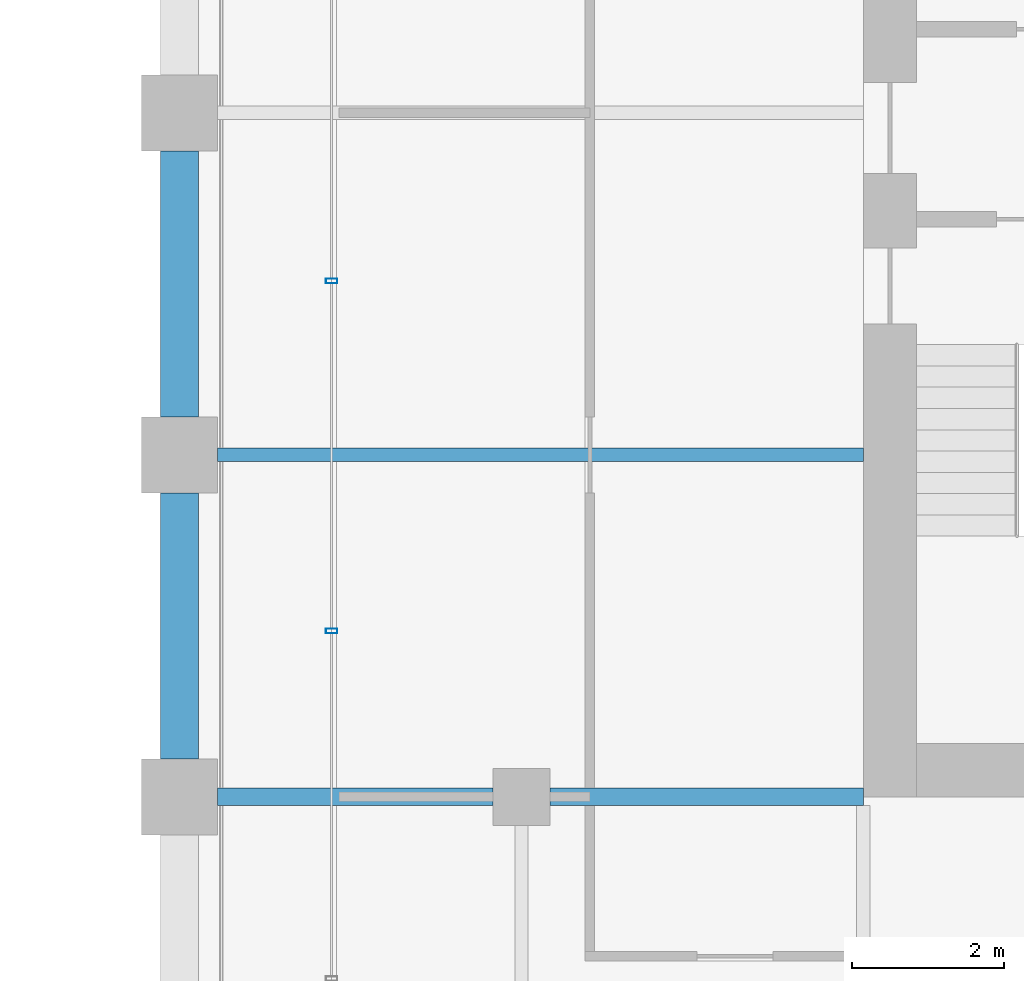
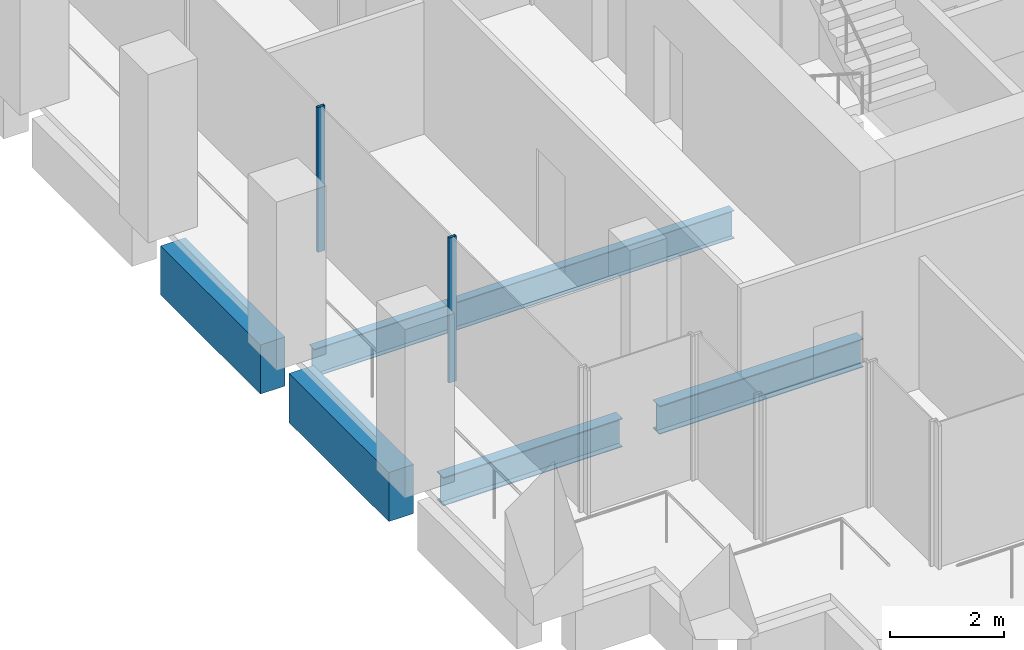
# One storey, part 30 of 46: 5 beams, 2 members, 1 element without a shape of its own.
"""IFC4 building model written with IfcOpenShell, lengths in metres."""

from ifc_helpers import new_model, si_unit, direction, frame, origin, origin_2d, place, context, subcontext, project, spatial, rectangle, hollow_rectangle, i_section, extrude, material, material_profile, profile_set, type_object, element, aggregate, save


model = new_model("IFC4")

# Units and contexts
model_context = context("Model", 3, precision=1e-05, world=origin(), true_north=direction((0.0, 1.0)))
body_context = subcontext(model_context, "Body", "Model", "MODEL_VIEW")
ifc_project = project(units=[si_unit("LENGTHUNIT", "METRE"), si_unit("AREAUNIT", "SQUARE_METRE"), si_unit("VOLUMEUNIT", "CUBIC_METRE"), si_unit("PLANEANGLEUNIT", "RADIAN"), si_unit("MASSUNIT", "GRAM", prefix="KILO")], contexts=[model_context])

# Site, building, storey
site_placement = place(None, origin())
site = spatial("IfcSite", under=ifc_project, at=site_placement, CompositionType="ELEMENT")
building_placement = place(site_placement, origin())
building = spatial("IfcBuilding", under=site, at=building_placement, Name="Altepetl Exchange Towers", CompositionType="ELEMENT")
storey_placement = place(building_placement, frame((0.0, 0.0, 102.800048828125)))
storey = spatial("IfcBuildingStorey", under=building, at=storey_placement, Name="L25", CompositionType="ELEMENT", Elevation=102.800048828125)

# Beams
ifc_material_1 = material(Name="Steel S355", Category="steel")
ifc_material_profile_1 = material_profile(ifc_material_1, i_section(OverallWidth=0.177978515625, OverallDepth=0.59912109375, WebThickness=0.010009765625, FlangeThickness=0.0126953125, at=origin_2d()), Name="W24X55")
ifc_profile_set_1 = profile_set([ifc_material_profile_1], Name="Steel S355")
beam_type_1 = type_object("IfcBeamType", Name="Floor beam W24X55", PredefinedType="BEAM", material=ifc_profile_set_1)
beam_1_placement = place(storey_placement, frame((95.0, 40.5, -0.449462890625), z_axis=(1.0, 0.0, 0.0), x_axis=(0.0, 1.0, 0.0)))
element("IfcBeam", 1, at=beam_1_placement, inside=storey, type_object=beam_type_1, Name="bm:B:L25:008", PredefinedType="BEAM", context=body_context, shape_type="SweptSolid", body=[
    extrude(i_section(OverallWidth=0.177978515625, OverallDepth=0.59912109375, WebThickness=0.010009765625, FlangeThickness=0.0126953125, at=origin_2d()), origin(), (0.0, 0.0, 1.0), 8.5),
])
ifc_material_profile_2 = material_profile(ifc_material_1, i_section(OverallWidth=0.22802734375, OverallDepth=0.60791015625, WebThickness=0.01123046875, FlangeThickness=0.017333984375, at=origin_2d()), Name="W24X76")
ifc_profile_set_2 = profile_set([ifc_material_profile_2], Name="Steel S355")
beam_type_2 = type_object("IfcBeamType", Name="Girder W24X76", PredefinedType="BEAM", material=ifc_profile_set_2)
beam_2_placement = place(storey_placement, frame((103.5, 36.0, -0.4541015625), z_axis=(-1.0, 0.0, 0.0), x_axis=(0.0, -1.0, 0.0)))
element("IfcBeam", 2, at=beam_2_placement, inside=storey, type_object=beam_type_2, Name="gd:B:L25:002", PredefinedType="BEAM", context=body_context, shape_type="SweptSolid", body=[
    extrude(i_section(OverallWidth=0.22802734375, OverallDepth=0.60791015625, WebThickness=0.01123046875, FlangeThickness=0.017333984375, at=origin_2d()), origin(), (0.0, 0.0, 1.0), 4.125),
])
beam_3_placement = place(storey_placement, frame((98.625, 36.0, -0.4541015625), z_axis=(-1.0, 0.0, 0.0), x_axis=(0.0, -1.0, 0.0)))
element("IfcBeam", 3, at=beam_3_placement, inside=storey, type_object=beam_type_2, Name="gd:B:L25:003", PredefinedType="BEAM", context=body_context, shape_type="SweptSolid", body=[
    extrude(i_section(OverallWidth=0.22802734375, OverallDepth=0.60791015625, WebThickness=0.01123046875, FlangeThickness=0.017333984375, at=origin_2d()), origin(), (0.0, 0.0, 1.0), 3.625),
])

# Curtain wall, members
ifc_material_2 = material(Name="Aluminium 6063-T6 glazing", Category="aluminium")
curtain_wall_type = type_object("IfcCurtainWallType", Name="Loggia glazing system", PredefinedType="NOTDEFINED", material=ifc_material_2)
curtain_wall_placement = place(storey_placement, origin())
curtain_wall = element("IfcCurtainWall", 4, at=curtain_wall_placement, inside=storey, type_object=curtain_wall_type, Name="CW1 run", PredefinedType="NOTDEFINED")
ifc_material_3 = material(Name="Aluminium 6063-T6", Category="aluminium")
ifc_material_profile_3 = material_profile(ifc_material_3, hollow_rectangle(XDim=0.06005859375, YDim=0.14990234375, WallThickness=0.0029296875, at=origin_2d()), Name="Mullion 60x150 aluminium")
ifc_profile_set_3 = profile_set([ifc_material_profile_3], Name="Aluminium 6063-T6")
member_type = type_object("IfcMemberType", Name="Mullion 60x150 aluminium", PredefinedType="MULLION", material=ifc_profile_set_3)
member_1_placement = place(storey_placement, frame((96.5, 42.78759765625, 0.0), z_axis=(0.0, 0.0, 1.0), x_axis=(0.0, -1.0, 0.0)))
member_1 = element("IfcMember", 5, at=member_1_placement, type_object=member_type, Name="MU1 mullion", PredefinedType="MULLION", context=body_context, shape_type="SweptSolid", body=[
    extrude(hollow_rectangle(XDim=0.06005859375, YDim=0.14990234375, WallThickness=0.0029296875, at=origin_2d()), origin(), (0.0, 0.0, 1.0), 3.099853515625),
])
member_2_placement = place(storey_placement, frame((96.5, 38.18115234375, 0.0), z_axis=(0.0, 0.0, 1.0), x_axis=(0.0, -1.0, 0.0)))
member_2 = element("IfcMember", 6, at=member_2_placement, type_object=member_type, Name="MU1 mullion", PredefinedType="MULLION", context=body_context, shape_type="SweptSolid", body=[
    extrude(hollow_rectangle(XDim=0.06005859375, YDim=0.14990234375, WallThickness=0.0029296875, at=origin_2d()), origin(), (0.0, 0.0, 1.0), 3.099853515625),
])
aggregate(curtain_wall, [member_1, member_2])

# Beams
ifc_material_4 = material(Name="Concrete C50/60 precast with cantera rosa facing", Category="concrete")
ifc_material_profile_4 = material_profile(ifc_material_4, rectangle(XDim=0.5, YDim=1.050048828125, at=origin_2d()), Name="500 x 1050")
ifc_profile_set_4 = profile_set([ifc_material_profile_4], Name="Concrete C50/60 precast with cantera rosa facing")
beam_type_3 = type_object("IfcBeamType", Name="Spandrel beam 500x1050 cantera rosa", PredefinedType="SPANDREL", material=ifc_profile_set_4)
for number, where, z_axis, x_axis, name in (
    (7, (94.5, 44.5, -0.675048828125), (0.0, -1.0, 0.0), (1.0, 0.0, 0.0), "sp:B:L25:024"),
    (8, (94.5, 40.0, -0.675048828125), (0.0, -1.0, 0.0), (1.0, 0.0, 0.0), "sp:B:L25:025"),
):
    element("IfcBeam", number, at=place(storey_placement, frame(where, z_axis=z_axis, x_axis=x_axis)), inside=storey, type_object=beam_type_3, Name=name, PredefinedType="SPANDREL", context=body_context, shape_type="SweptSolid", body=[
        extrude(rectangle(XDim=0.5, YDim=1.050048828125, at=origin_2d()), origin(), (0.0, 0.0, 1.0), 3.5),
    ])

save(model, "model.ifc")
